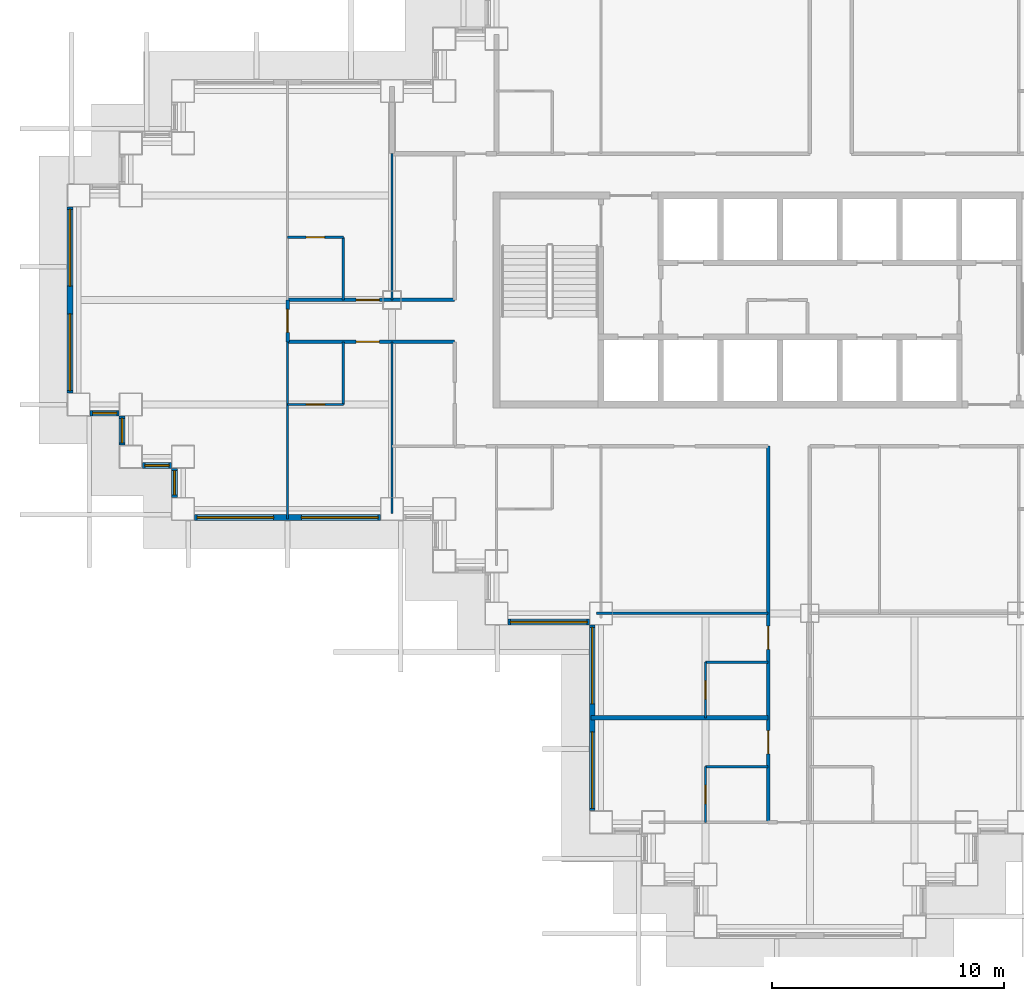
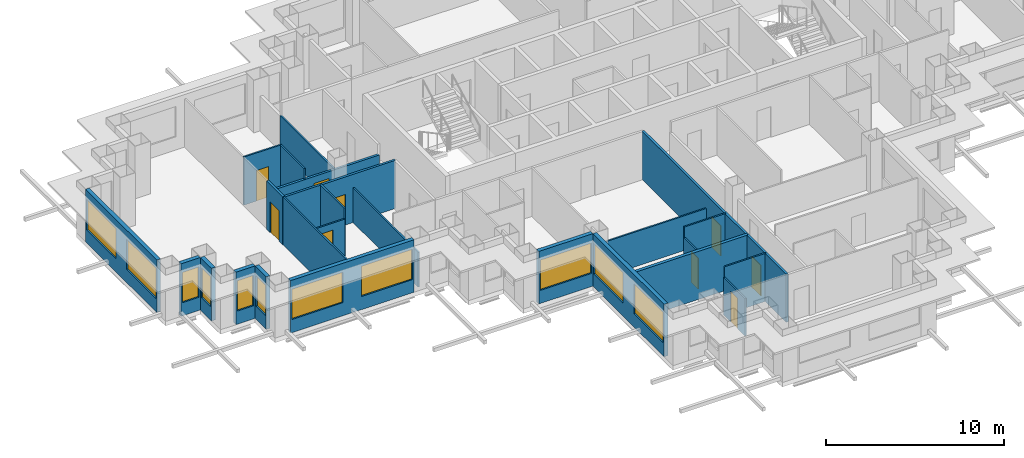
# One storey, part 3 of 15: 25 walls, 11 windows, 9 doors, 20 openings.
"""IFC4 building model written with IfcOpenShell, lengths in metres."""

from ifc_helpers import new_model, si_unit, direction, frame, frame_2d, origin, place, context, subcontext, project, spatial, rectangle, extrude, material, layer, layer_set, type_object, element, fill, save


model = new_model("IFC4")

# Units and contexts
model_context = context("Model", 3, precision=1e-05, world=origin(), true_north=direction((0.0, 1.0)))
body_context = subcontext(model_context, "Body", "Model", "MODEL_VIEW")
ifc_project = project(units=[si_unit("LENGTHUNIT", "METRE"), si_unit("AREAUNIT", "SQUARE_METRE"), si_unit("VOLUMEUNIT", "CUBIC_METRE"), si_unit("PLANEANGLEUNIT", "RADIAN"), si_unit("MASSUNIT", "GRAM", prefix="KILO")], contexts=[model_context])

# Site, building, storey
site_placement = place(None, origin())
site = spatial("IfcSite", under=ifc_project, at=site_placement, CompositionType="ELEMENT")
building_placement = place(site_placement, origin())
building = spatial("IfcBuilding", under=site, at=building_placement, Name="Caravel Reach Hotel and Residences", CompositionType="ELEMENT")
storey_placement = place(building_placement, frame((0.0, 0.0, 60.0)))
storey = spatial("IfcBuildingStorey", under=building, at=storey_placement, Name="L13", CompositionType="ELEMENT", Elevation=60.0)

# Wall
ifc_material_1 = material(Name="Gypsum board on steel stud", Category="steel")
ifc_layer_1 = layer(ifc_material_1, 0.10009765625)
ifc_layer_set_1 = layer_set([ifc_layer_1], Name="Bathroom pod wall 100 mm")
wall_type_1 = type_object("IfcWallType", Name="Bathroom pod wall 100 mm", PredefinedType="PARTITIONING", material=ifc_layer_set_1)
wall_1_placement = place(storey_placement, frame((27.0, 11.39990234375, 0.0), z_axis=(0.0, 0.0, 1.0), x_axis=(1.0, 0.0, 0.0)))
element("IfcWall", 1, at=wall_1_placement, inside=storey, type_object=wall_type_1, Name="L13 wall w074", PredefinedType="PARTITIONING", context=body_context, shape_type="SweptSolid", body=[
    extrude(rectangle(XDim=2.699951171875, YDim=0.10009765625, at=frame_2d((1.35009765625, 0.0))), origin(), (0.0, 0.0, 1.0), 3.300048828125),
])

# Wall, opening, door
wall_2_placement = place(storey_placement, frame((9.0, 22.5, 0.0), z_axis=(0.0, 0.0, 1.0), x_axis=(1.0, 0.0, 0.0)))
wall_2 = element("IfcWall", 2, at=wall_2_placement, inside=storey, type_object=wall_type_1, Name="L13 wall w077", PredefinedType="PARTITIONING", context=body_context, shape_type="SweptSolid", body=[
    extrude(rectangle(XDim=2.39990234375, YDim=0.10009765625, at=frame_2d((1.199951171875, 0.0))), origin(), (0.0, 0.0, 1.0), 2.580078125),
])
opening_1_placement = place(wall_2_placement, frame((0.800048828125, 0.0, 0.0)))
opening_1 = element("IfcOpeningElement", 3, at=opening_1_placement, cuts=wall_2, Name="Opening D13-016", PredefinedType="OPENING", context=body_context, shape_type="SweptSolid", body=[
    extrude(rectangle(XDim=0.800048828125, YDim=2.10009765625, at=frame_2d((0.39990234375, 1.050048828125))), frame((0.0, 0.06005859375, 0.0), z_axis=(0.0, -1.0, 0.0), x_axis=(1.0, 0.0, 0.0)), (0.0, 0.0, 1.0), 0.1201171875),
])
ifc_material_2 = material(Name="Timber and steel door leaf", Category="steel")
door_type_1 = type_object("IfcDoorType", Name="Bathroom door 800 x 2100", OperationType="SINGLE_SWING_LEFT", PredefinedType="DOOR", material=ifc_material_2)
door_1_placement = place(opening_1_placement, origin())
door_1 = element("IfcDoor", 4, at=door_1_placement, inside=storey, type_object=door_type_1, Name="door D13-016", OperationType="SINGLE_SWING_RIGHT", OverallHeight=2.10009765625, OverallWidth=0.800048828125, PredefinedType="DOOR", context=body_context, shape_type="SweptSolid", body=[
    extrude(rectangle(XDim=0.800048828125, YDim=2.10009765625, at=frame_2d((0.39990234375, 1.050048828125))), frame((0.0, 0.02490234375, 0.0), z_axis=(0.0, -1.0, 0.0), x_axis=(1.0, 0.0, 0.0)), (0.0, 0.0, 1.0), 0.050048828125),
])
fill(opening_1, door_1)

wall_3_placement = place(storey_placement, frame((9.0, 29.699951171875, 0.0), z_axis=(0.0, 0.0, 1.0), x_axis=(1.0, 0.0, 0.0)))
wall_3 = element("IfcWall", 5, at=wall_3_placement, inside=storey, type_object=wall_type_1, Name="L13 wall w080", PredefinedType="PARTITIONING", context=body_context, shape_type="SweptSolid", body=[
    extrude(rectangle(XDim=2.39990234375, YDim=0.10009765625, at=frame_2d((1.199951171875, 0.0))), origin(), (0.0, 0.0, 1.0), 3.300048828125),
])
opening_2_placement = place(wall_3_placement, frame((0.800048828125, 0.0, 0.0)))
opening_2 = element("IfcOpeningElement", 6, at=opening_2_placement, cuts=wall_3, Name="Opening D13-018", PredefinedType="OPENING", context=body_context, shape_type="SweptSolid", body=[
    extrude(rectangle(XDim=0.800048828125, YDim=2.10009765625, at=frame_2d((0.39990234375, 1.050048828125))), frame((0.0, 0.06005859375, 0.0), z_axis=(0.0, -1.0, 0.0), x_axis=(1.0, 0.0, 0.0)), (0.0, 0.0, 1.0), 0.1201171875),
])
door_2_placement = place(opening_2_placement, origin())
door_2 = element("IfcDoor", 7, at=door_2_placement, inside=storey, type_object=door_type_1, Name="door D13-018", OperationType="SINGLE_SWING_LEFT", OverallHeight=2.10009765625, OverallWidth=0.800048828125, PredefinedType="DOOR", context=body_context, shape_type="SweptSolid", body=[
    extrude(rectangle(XDim=0.800048828125, YDim=2.10009765625, at=frame_2d((0.39990234375, 1.050048828125))), frame((0.0, 0.02490234375, 0.0), z_axis=(0.0, -1.0, 0.0), x_axis=(1.0, 0.0, 0.0)), (0.0, 0.0, 1.0), 0.050048828125),
])
fill(opening_2, door_2)

# Walls
for number, where, z_axis, x_axis, name in (
    (8, (27.0, 6.89990234375, 0.0), (0.0, 0.0, 1.0), (1.0, 0.0, 0.0), "L13 wall w086"),
    (9, (11.39990234375, 27.0, 0.0), (0.0, 0.0, 1.0), (0.0, 1.0, 0.0), "L13 wall w088"),
    (10, (11.39990234375, 22.5, 0.0), (0.0, 0.0, 1.0), (0.0, 1.0, 0.0), "L13 wall w089"),
):
    element("IfcWall", number, at=place(storey_placement, frame(where, z_axis=z_axis, x_axis=x_axis)), inside=storey, type_object=wall_type_1, Name=name, PredefinedType="PARTITIONING", context=body_context, shape_type="SweptSolid", body=[
        extrude(rectangle(XDim=2.699951171875, YDim=0.10009765625, at=frame_2d((1.35009765625, 0.0))), origin(), (0.0, 0.0, 1.0), 3.300048828125),
    ])

# Wall, opening, door
wall_4_placement = place(storey_placement, frame((27.0, 9.0, 0.0), z_axis=(0.0, 0.0, 1.0), x_axis=(0.0, 1.0, 0.0)))
wall_4 = element("IfcWall", 11, at=wall_4_placement, inside=storey, type_object=wall_type_1, Name="L13 wall w092", PredefinedType="PARTITIONING", context=body_context, shape_type="SweptSolid", body=[
    extrude(rectangle(XDim=2.39990234375, YDim=0.10009765625, at=frame_2d((1.199951171875, 0.0))), origin(), (0.0, 0.0, 1.0), 2.580078125),
])
opening_3_placement = place(wall_4_placement, frame((0.800048828125, 0.0, 0.0)))
opening_3 = element("IfcOpeningElement", 12, at=opening_3_placement, cuts=wall_4, Name="Opening D13-031", PredefinedType="OPENING", context=body_context, shape_type="SweptSolid", body=[
    extrude(rectangle(XDim=0.800048828125, YDim=2.10009765625, at=frame_2d((0.39990234375, 1.050048828125))), frame((0.0, 0.06005859375, 0.0), z_axis=(0.0, -1.0, 0.0), x_axis=(1.0, 0.0, 0.0)), (0.0, 0.0, 1.0), 0.1201171875),
])
door_3_placement = place(opening_3_placement, origin())
door_3 = element("IfcDoor", 13, at=door_3_placement, inside=storey, type_object=door_type_1, Name="door D13-031", OperationType="SINGLE_SWING_LEFT", OverallHeight=2.10009765625, OverallWidth=0.800048828125, PredefinedType="DOOR", context=body_context, shape_type="SweptSolid", body=[
    extrude(rectangle(XDim=0.800048828125, YDim=2.10009765625, at=frame_2d((0.39990234375, 1.050048828125))), frame((0.0, 0.02490234375, 0.0), z_axis=(0.0, -1.0, 0.0), x_axis=(1.0, 0.0, 0.0)), (0.0, 0.0, 1.0), 0.050048828125),
])
fill(opening_3, door_3)

wall_5_placement = place(storey_placement, frame((27.0, 4.5, 0.0), z_axis=(0.0, 0.0, 1.0), x_axis=(0.0, 1.0, 0.0)))
wall_5 = element("IfcWall", 14, at=wall_5_placement, inside=storey, type_object=wall_type_1, Name="L13 wall w093", PredefinedType="PARTITIONING", context=body_context, shape_type="SweptSolid", body=[
    extrude(rectangle(XDim=2.39990234375, YDim=0.10009765625, at=frame_2d((1.199951171875, 0.0))), origin(), (0.0, 0.0, 1.0), 2.580078125),
])
opening_4_placement = place(wall_5_placement, frame((0.800048828125, 0.0, 0.0)))
opening_4 = element("IfcOpeningElement", 15, at=opening_4_placement, cuts=wall_5, Name="Opening D13-033", PredefinedType="OPENING", context=body_context, shape_type="SweptSolid", body=[
    extrude(rectangle(XDim=0.800048828125, YDim=2.10009765625, at=frame_2d((0.39990234375, 1.050048828125))), frame((0.0, 0.06005859375, 0.0), z_axis=(0.0, -1.0, 0.0), x_axis=(1.0, 0.0, 0.0)), (0.0, 0.0, 1.0), 0.1201171875),
])
door_4_placement = place(opening_4_placement, origin())
door_4 = element("IfcDoor", 16, at=door_4_placement, inside=storey, type_object=door_type_1, Name="door D13-033", OperationType="SINGLE_SWING_LEFT", OverallHeight=2.10009765625, OverallWidth=0.800048828125, PredefinedType="DOOR", context=body_context, shape_type="SweptSolid", body=[
    extrude(rectangle(XDim=0.800048828125, YDim=2.10009765625, at=frame_2d((0.39990234375, 1.050048828125))), frame((0.0, 0.02490234375, 0.0), z_axis=(0.0, -1.0, 0.0), x_axis=(1.0, 0.0, 0.0)), (0.0, 0.0, 1.0), 0.050048828125),
])
fill(opening_4, door_4)

ifc_material_3 = material(Name="Gypsum board on steel stud, fire-rated", Category="steel")
ifc_layer_2 = layer(ifc_material_3, 0.14990234375)
ifc_layer_set_2 = layer_set([ifc_layer_2], Name="Corridor wall 150 mm EI 60")
wall_type_2 = type_object("IfcWallType", Name="Corridor wall 150 mm EI 60", PredefinedType="PARTITIONING", material=ifc_layer_set_2)
wall_6_placement = place(storey_placement, frame((9.0, 25.199951171875, 0.0), z_axis=(0.0, 0.0, 1.0), x_axis=(1.0, 0.0, 0.0)))
wall_6 = element("IfcWall", 17, at=wall_6_placement, inside=storey, type_object=wall_type_2, Name="L13 wall w008", PredefinedType="PARTITIONING", context=body_context, shape_type="SweptSolid", body=[
    extrude(rectangle(XDim=7.199951171875, YDim=0.14990234375, at=frame_2d((3.60009765625, 0.0))), origin(), (0.0, 0.0, 1.0), 3.300048828125),
])
opening_5_placement = place(wall_6_placement, frame((2.949951171875, 0.0, 0.0)))
opening_5 = element("IfcOpeningElement", 18, at=opening_5_placement, cuts=wall_6, Name="Opening D13-015", PredefinedType="OPENING", context=body_context, shape_type="SweptSolid", body=[
    extrude(rectangle(XDim=1.0, YDim=2.10009765625, at=frame_2d((0.5, 1.050048828125))), frame((0.0, 0.0849609375, 0.0), z_axis=(0.0, -1.0, 0.0), x_axis=(1.0, 0.0, 0.0)), (0.0, 0.0, 1.0), 0.169921875),
])
ifc_material_4 = material(Name="Steel fire door leaf", Category="steel")
door_type_2 = type_object("IfcDoorType", Name="Guest room door 1000 x 2100 EI 30", OperationType="SINGLE_SWING_LEFT", PredefinedType="DOOR", material=ifc_material_4)
door_5_placement = place(opening_5_placement, origin())
door_5 = element("IfcDoor", 19, at=door_5_placement, inside=storey, type_object=door_type_2, Name="door D13-015", OperationType="SINGLE_SWING_RIGHT", OverallHeight=2.10009765625, OverallWidth=1.0, PredefinedType="DOOR", context=body_context, shape_type="SweptSolid", body=[
    extrude(rectangle(XDim=1.0, YDim=2.10009765625, at=frame_2d((0.5, 1.050048828125))), frame((0.0, 0.02490234375, 0.0), z_axis=(0.0, -1.0, 0.0), x_axis=(1.0, 0.0, 0.0)), (0.0, 0.0, 1.0), 0.050048828125),
])
fill(opening_5, door_5)

wall_7_placement = place(storey_placement, frame((9.0, 27.0, 0.0), z_axis=(0.0, 0.0, 1.0), x_axis=(1.0, 0.0, 0.0)))
wall_7 = element("IfcWall", 20, at=wall_7_placement, inside=storey, type_object=wall_type_2, Name="L13 wall w012", PredefinedType="PARTITIONING", context=body_context, shape_type="SweptSolid", body=[
    extrude(rectangle(XDim=7.199951171875, YDim=0.14990234375, at=frame_2d((3.60009765625, 0.0))), origin(), (0.0, 0.0, 1.0), 2.580078125),
])
opening_6_placement = place(wall_7_placement, frame((2.949951171875, 0.0, 0.0)))
opening_6 = element("IfcOpeningElement", 21, at=opening_6_placement, cuts=wall_7, Name="Opening D13-017", PredefinedType="OPENING", context=body_context, shape_type="SweptSolid", body=[
    extrude(rectangle(XDim=1.0, YDim=2.10009765625, at=frame_2d((0.5, 1.050048828125))), frame((0.0, 0.0849609375, 0.0), z_axis=(0.0, -1.0, 0.0), x_axis=(1.0, 0.0, 0.0)), (0.0, 0.0, 1.0), 0.169921875),
])
door_6_placement = place(opening_6_placement, origin())
door_6 = element("IfcDoor", 22, at=door_6_placement, inside=storey, type_object=door_type_2, Name="door D13-017", OperationType="SINGLE_SWING_RIGHT", OverallHeight=2.10009765625, OverallWidth=1.0, PredefinedType="DOOR", context=body_context, shape_type="SweptSolid", body=[
    extrude(rectangle(XDim=1.0, YDim=2.10009765625, at=frame_2d((0.5, 1.050048828125))), frame((0.0, 0.02490234375, 0.0), z_axis=(0.0, -1.0, 0.0), x_axis=(1.0, 0.0, 0.0)), (0.0, 0.0, 1.0), 0.050048828125),
])
fill(opening_6, door_6)

# Wall, openings, doors
wall_8_placement = place(storey_placement, frame((29.699951171875, 4.5, 0.0), z_axis=(0.0, 0.0, 1.0), x_axis=(0.0, 1.0, 0.0)))
wall_8 = element("IfcWall", 23, at=wall_8_placement, inside=storey, type_object=wall_type_2, Name="L13 wall w027", PredefinedType="PARTITIONING", context=body_context, shape_type="SweptSolid", body=[
    extrude(rectangle(XDim=16.199951171875, YDim=0.14990234375, at=frame_2d((8.10009765625, 0.0))), origin(), (0.0, 0.0, 1.0), 3.300048828125),
])
opening_7_placement = place(wall_8_placement, frame((7.449951171875, 0.0, 0.0)))
opening_7 = element("IfcOpeningElement", 24, at=opening_7_placement, cuts=wall_8, Name="Opening D13-030", PredefinedType="OPENING", context=body_context, shape_type="SweptSolid", body=[
    extrude(rectangle(XDim=1.0, YDim=2.10009765625, at=frame_2d((0.5, 1.050048828125))), frame((0.0, 0.0849609375, 0.0), z_axis=(0.0, -1.0, 0.0), x_axis=(1.0, 0.0, 0.0)), (0.0, 0.0, 1.0), 0.169921875),
])
opening_8_placement = place(wall_8_placement, frame((2.949951171875, 0.0, 0.0)))
opening_8 = element("IfcOpeningElement", 25, at=opening_8_placement, cuts=wall_8, Name="Opening D13-032", PredefinedType="OPENING", context=body_context, shape_type="SweptSolid", body=[
    extrude(rectangle(XDim=1.0, YDim=2.10009765625, at=frame_2d((0.5, 1.050048828125))), frame((0.0, 0.0849609375, 0.0), z_axis=(0.0, -1.0, 0.0), x_axis=(1.0, 0.0, 0.0)), (0.0, 0.0, 1.0), 0.169921875),
])
door_7_placement = place(opening_7_placement, origin())
door_7 = element("IfcDoor", 26, at=door_7_placement, inside=storey, type_object=door_type_2, Name="door D13-030", OperationType="SINGLE_SWING_RIGHT", OverallHeight=2.10009765625, OverallWidth=1.0, PredefinedType="DOOR", context=body_context, shape_type="SweptSolid", body=[
    extrude(rectangle(XDim=1.0, YDim=2.10009765625, at=frame_2d((0.5, 1.050048828125))), frame((0.0, 0.02490234375, 0.0), z_axis=(0.0, -1.0, 0.0), x_axis=(1.0, 0.0, 0.0)), (0.0, 0.0, 1.0), 0.050048828125),
])
fill(opening_7, door_7)
door_8_placement = place(opening_8_placement, origin())
door_8 = element("IfcDoor", 27, at=door_8_placement, inside=storey, type_object=door_type_2, Name="door D13-032", OperationType="SINGLE_SWING_RIGHT", OverallHeight=2.10009765625, OverallWidth=1.0, PredefinedType="DOOR", context=body_context, shape_type="SweptSolid", body=[
    extrude(rectangle(XDim=1.0, YDim=2.10009765625, at=frame_2d((0.5, 1.050048828125))), frame((0.0, 0.02490234375, 0.0), z_axis=(0.0, -1.0, 0.0), x_axis=(1.0, 0.0, 0.0)), (0.0, 0.0, 1.0), 0.050048828125),
])
fill(opening_8, door_8)

# Wall, opening, door
wall_9_placement = place(storey_placement, frame((9.0, 25.199951171875, 0.0), z_axis=(0.0, 0.0, 1.0), x_axis=(0.0, 1.0, 0.0)))
wall_9 = element("IfcWall", 28, at=wall_9_placement, inside=storey, type_object=wall_type_2, Name="L13 wall w039", PredefinedType="PARTITIONING", context=body_context, shape_type="SweptSolid", body=[
    extrude(rectangle(XDim=1.800048828125, YDim=0.14990234375, at=frame_2d((0.89990234375, 0.0))), origin(), (0.0, 0.0, 1.0), 3.300048828125),
])
opening_9_placement = place(wall_9_placement, frame((0.39990234375, 0.0, 0.0)))
opening_9 = element("IfcOpeningElement", 29, at=opening_9_placement, cuts=wall_9, Name="Opening D13-037", PredefinedType="OPENING", context=body_context, shape_type="SweptSolid", body=[
    extrude(rectangle(XDim=1.0, YDim=2.10009765625, at=frame_2d((0.5, 1.050048828125))), frame((0.0, 0.0849609375, 0.0), z_axis=(0.0, -1.0, 0.0), x_axis=(1.0, 0.0, 0.0)), (0.0, 0.0, 1.0), 0.169921875),
])
door_9_placement = place(opening_9_placement, origin())
door_9 = element("IfcDoor", 30, at=door_9_placement, inside=storey, type_object=door_type_2, Name="door D13-037", OperationType="SINGLE_SWING_RIGHT", OverallHeight=2.10009765625, OverallWidth=1.0, PredefinedType="DOOR", context=body_context, shape_type="SweptSolid", body=[
    extrude(rectangle(XDim=1.0, YDim=2.10009765625, at=frame_2d((0.5, 1.050048828125))), frame((0.0, 0.02490234375, 0.0), z_axis=(0.0, -1.0, 0.0), x_axis=(1.0, 0.0, 0.0)), (0.0, 0.0, 1.0), 0.050048828125),
])
fill(opening_9, door_9)

# Wall, openings, windows
ifc_material_5 = material(Name="Insulated rainscreen wall, aluminium cladding", Category="aluminium")
ifc_layer_3 = layer(ifc_material_5, 0.25)
ifc_layer_set_3 = layer_set([ifc_layer_3], Name="EW1 Tower rainscreen wall")
wall_type_3 = type_object("IfcWallType", Name="EW1 Tower rainscreen wall", PredefinedType="SOLIDWALL", material=ifc_layer_set_3)
wall_10_placement = place(storey_placement, frame((-0.375, 31.0, 0.0), z_axis=(0.0, 0.0, 1.0), x_axis=(0.0, -1.0, 0.0)))
wall_10 = element("IfcWall", 31, at=wall_10_placement, inside=storey, type_object=wall_type_3, Name="External wall L13 W50.1", PredefinedType="SOLIDWALL", context=body_context, shape_type="SweptSolid", body=[
    extrude(rectangle(XDim=8.0, YDim=0.25, at=frame_2d((4.0, 0.0))), origin(), (0.0, 0.0, 1.0), 3.60009765625),
])
opening_10_placement = place(wall_10_placement, frame((0.10009765625, 0.0, 0.89990234375)))
opening_10 = element("IfcOpeningElement", 32, at=opening_10_placement, cuts=wall_10, Name="Opening WN4", PredefinedType="OPENING", context=body_context, shape_type="SweptSolid", body=[
    extrude(rectangle(XDim=3.300048828125, YDim=2.080078125, at=frame_2d((1.64990234375, 1.0400390625))), frame((0.0, 0.135009765625, 0.0), z_axis=(0.0, -1.0, 0.0), x_axis=(1.0, 0.0, 0.0)), (0.0, 0.0, 1.0), 0.27001953125),
])
opening_11_placement = place(wall_10_placement, frame((4.60009765625, 0.0, 0.89990234375)))
opening_11 = element("IfcOpeningElement", 33, at=opening_11_placement, cuts=wall_10, Name="Opening WN4", PredefinedType="OPENING", context=body_context, shape_type="SweptSolid", body=[
    extrude(rectangle(XDim=3.300048828125, YDim=2.080078125, at=frame_2d((1.64990234375, 1.0400390625))), frame((0.0, 0.135009765625, 0.0), z_axis=(0.0, -1.0, 0.0), x_axis=(1.0, 0.0, 0.0)), (0.0, 0.0, 1.0), 0.27001953125),
])
ifc_material_6 = material(Name="Dark low-e glazing in black aluminium frame", Category="aluminium")
window_type_1 = type_object("IfcWindowType", Name="Hotel guest room window 3300 x 2080", PartitioningType="SINGLE_PANEL", PredefinedType="WINDOW", material=ifc_material_6)
window_1_placement = place(opening_10_placement, origin())
window_1 = element("IfcWindow", 34, at=window_1_placement, inside=storey, type_object=window_type_1, Name="Window L13 W50.1.1", OverallHeight=2.080078125, OverallWidth=3.300048828125, PartitioningType="SINGLE_PANEL", PredefinedType="WINDOW", context=body_context, shape_type="SweptSolid", body=[
    extrude(rectangle(XDim=3.300048828125, YDim=2.080078125, at=frame_2d((1.64990234375, 1.0400390625))), frame((0.0, 0.030029296875, 0.0), z_axis=(0.0, -1.0, 0.0), x_axis=(1.0, 0.0, 0.0)), (0.0, 0.0, 1.0), 0.06005859375),
])
fill(opening_10, window_1)
window_2_placement = place(opening_11_placement, origin())
window_2 = element("IfcWindow", 35, at=window_2_placement, inside=storey, type_object=window_type_1, Name="Window L13 W50.1.2", OverallHeight=2.080078125, OverallWidth=3.300048828125, PartitioningType="SINGLE_PANEL", PredefinedType="WINDOW", context=body_context, shape_type="SweptSolid", body=[
    extrude(rectangle(XDim=3.300048828125, YDim=2.080078125, at=frame_2d((1.64990234375, 1.0400390625))), frame((0.0, 0.030029296875, 0.0), z_axis=(0.0, -1.0, 0.0), x_axis=(1.0, 0.0, 0.0)), (0.0, 0.0, 1.0), 0.06005859375),
])
fill(opening_11, window_2)

# Wall, opening, window
wall_11_placement = place(storey_placement, frame((0.5, 22.125, 0.0), z_axis=(0.0, 0.0, 1.0), x_axis=(1.0, 0.0, 0.0)))
wall_11 = element("IfcWall", 36, at=wall_11_placement, inside=storey, type_object=wall_type_3, Name="External wall L13 S51.1", PredefinedType="SOLIDWALL", context=body_context, shape_type="SweptSolid", body=[
    extrude(rectangle(XDim=1.25, YDim=0.25, at=frame_2d((0.625, 0.0))), origin(), (0.0, 0.0, 1.0), 3.60009765625),
])
opening_12_placement = place(wall_11_placement, frame((0.10009765625, 0.0, 0.89990234375)))
opening_12 = element("IfcOpeningElement", 37, at=opening_12_placement, cuts=wall_11, Name="Opening WN3", PredefinedType="OPENING", context=body_context, shape_type="SweptSolid", body=[
    extrude(rectangle(XDim=1.050048828125, YDim=2.080078125, at=frame_2d((0.52490234375, 1.0400390625))), frame((0.0, 0.135009765625, 0.0), z_axis=(0.0, -1.0, 0.0), x_axis=(1.0, 0.0, 0.0)), (0.0, 0.0, 1.0), 0.27001953125),
])
ifc_material_7 = material(Name="Dark low-e glazing in black aluminium frame", Category="aluminium")
window_type_2 = type_object("IfcWindowType", Name="Hotel suite corner window 1050 x 2080", PartitioningType="SINGLE_PANEL", PredefinedType="WINDOW", material=ifc_material_7)
window_3_placement = place(opening_12_placement, origin())
window_3 = element("IfcWindow", 38, at=window_3_placement, inside=storey, type_object=window_type_2, Name="Window L13 S51.1.1", OverallHeight=2.080078125, OverallWidth=1.050048828125, PartitioningType="SINGLE_PANEL", PredefinedType="WINDOW", context=body_context, shape_type="SweptSolid", body=[
    extrude(rectangle(XDim=1.050048828125, YDim=2.080078125, at=frame_2d((0.52490234375, 1.0400390625))), frame((0.0, 0.030029296875, 0.0), z_axis=(0.0, -1.0, 0.0), x_axis=(1.0, 0.0, 0.0)), (0.0, 0.0, 1.0), 0.06005859375),
])
fill(opening_12, window_3)

wall_12_placement = place(storey_placement, frame((1.875, 22.0, 0.0), z_axis=(0.0, 0.0, 1.0), x_axis=(0.0, -1.0, 0.0)))
wall_12 = element("IfcWall", 39, at=wall_12_placement, inside=storey, type_object=wall_type_3, Name="External wall L13 W52.1", PredefinedType="SOLIDWALL", context=body_context, shape_type="SweptSolid", body=[
    extrude(rectangle(XDim=1.25, YDim=0.25, at=frame_2d((0.625, 0.0))), origin(), (0.0, 0.0, 1.0), 3.60009765625),
])
opening_13_placement = place(wall_12_placement, frame((0.10009765625, 0.0, 0.89990234375)))
opening_13 = element("IfcOpeningElement", 40, at=opening_13_placement, cuts=wall_12, Name="Opening WN3", PredefinedType="OPENING", context=body_context, shape_type="SweptSolid", body=[
    extrude(rectangle(XDim=1.050048828125, YDim=2.080078125, at=frame_2d((0.52490234375, 1.0400390625))), frame((0.0, 0.135009765625, 0.0), z_axis=(0.0, -1.0, 0.0), x_axis=(1.0, 0.0, 0.0)), (0.0, 0.0, 1.0), 0.27001953125),
])
window_4_placement = place(opening_13_placement, origin())
window_4 = element("IfcWindow", 41, at=window_4_placement, inside=storey, type_object=window_type_2, Name="Window L13 W52.1.1", OverallHeight=2.080078125, OverallWidth=1.050048828125, PartitioningType="SINGLE_PANEL", PredefinedType="WINDOW", context=body_context, shape_type="SweptSolid", body=[
    extrude(rectangle(XDim=1.050048828125, YDim=2.080078125, at=frame_2d((0.52490234375, 1.0400390625))), frame((0.0, 0.030029296875, 0.0), z_axis=(0.0, -1.0, 0.0), x_axis=(1.0, 0.0, 0.0)), (0.0, 0.0, 1.0), 0.06005859375),
])
fill(opening_13, window_4)

wall_13_placement = place(storey_placement, frame((2.75, 19.875, 0.0), z_axis=(0.0, 0.0, 1.0), x_axis=(1.0, 0.0, 0.0)))
wall_13 = element("IfcWall", 42, at=wall_13_placement, inside=storey, type_object=wall_type_3, Name="External wall L13 S53.1", PredefinedType="SOLIDWALL", context=body_context, shape_type="SweptSolid", body=[
    extrude(rectangle(XDim=1.25, YDim=0.25, at=frame_2d((0.625, 0.0))), origin(), (0.0, 0.0, 1.0), 3.60009765625),
])
opening_14_placement = place(wall_13_placement, frame((0.10009765625, 0.0, 0.89990234375)))
opening_14 = element("IfcOpeningElement", 43, at=opening_14_placement, cuts=wall_13, Name="Opening WN3", PredefinedType="OPENING", context=body_context, shape_type="SweptSolid", body=[
    extrude(rectangle(XDim=1.050048828125, YDim=2.080078125, at=frame_2d((0.52490234375, 1.0400390625))), frame((0.0, 0.135009765625, 0.0), z_axis=(0.0, -1.0, 0.0), x_axis=(1.0, 0.0, 0.0)), (0.0, 0.0, 1.0), 0.27001953125),
])
window_5_placement = place(opening_14_placement, origin())
window_5 = element("IfcWindow", 44, at=window_5_placement, inside=storey, type_object=window_type_2, Name="Window L13 S53.1.1", OverallHeight=2.080078125, OverallWidth=1.050048828125, PartitioningType="SINGLE_PANEL", PredefinedType="WINDOW", context=body_context, shape_type="SweptSolid", body=[
    extrude(rectangle(XDim=1.050048828125, YDim=2.080078125, at=frame_2d((0.52490234375, 1.0400390625))), frame((0.0, 0.030029296875, 0.0), z_axis=(0.0, -1.0, 0.0), x_axis=(1.0, 0.0, 0.0)), (0.0, 0.0, 1.0), 0.06005859375),
])
fill(opening_14, window_5)

wall_14_placement = place(storey_placement, frame((4.125, 19.75, 0.0), z_axis=(0.0, 0.0, 1.0), x_axis=(0.0, -1.0, 0.0)))
wall_14 = element("IfcWall", 45, at=wall_14_placement, inside=storey, type_object=wall_type_3, Name="External wall L13 W54.1", PredefinedType="SOLIDWALL", context=body_context, shape_type="SweptSolid", body=[
    extrude(rectangle(XDim=1.25, YDim=0.25, at=frame_2d((0.625, 0.0))), origin(), (0.0, 0.0, 1.0), 3.60009765625),
])
opening_15_placement = place(wall_14_placement, frame((0.10009765625, 0.0, 0.89990234375)))
opening_15 = element("IfcOpeningElement", 46, at=opening_15_placement, cuts=wall_14, Name="Opening WN3", PredefinedType="OPENING", context=body_context, shape_type="SweptSolid", body=[
    extrude(rectangle(XDim=1.050048828125, YDim=2.080078125, at=frame_2d((0.52490234375, 1.0400390625))), frame((0.0, 0.135009765625, 0.0), z_axis=(0.0, -1.0, 0.0), x_axis=(1.0, 0.0, 0.0)), (0.0, 0.0, 1.0), 0.27001953125),
])
window_6_placement = place(opening_15_placement, origin())
window_6 = element("IfcWindow", 47, at=window_6_placement, inside=storey, type_object=window_type_2, Name="Window L13 W54.1.1", OverallHeight=2.080078125, OverallWidth=1.050048828125, PartitioningType="SINGLE_PANEL", PredefinedType="WINDOW", context=body_context, shape_type="SweptSolid", body=[
    extrude(rectangle(XDim=1.050048828125, YDim=2.080078125, at=frame_2d((0.52490234375, 1.0400390625))), frame((0.0, 0.030029296875, 0.0), z_axis=(0.0, -1.0, 0.0), x_axis=(1.0, 0.0, 0.0)), (0.0, 0.0, 1.0), 0.06005859375),
])
fill(opening_15, window_6)

# Wall, openings, windows
wall_15_placement = place(storey_placement, frame((5.0, 17.625, 0.0), z_axis=(0.0, 0.0, 1.0), x_axis=(1.0, 0.0, 0.0)))
wall_15 = element("IfcWall", 48, at=wall_15_placement, inside=storey, type_object=wall_type_3, Name="External wall L13 S55.1", PredefinedType="SOLIDWALL", context=body_context, shape_type="SweptSolid", body=[
    extrude(rectangle(XDim=8.0, YDim=0.25, at=frame_2d((4.0, 0.0))), origin(), (0.0, 0.0, 1.0), 3.60009765625),
])
opening_16_placement = place(wall_15_placement, frame((0.10009765625, 0.0, 0.89990234375)))
opening_16 = element("IfcOpeningElement", 49, at=opening_16_placement, cuts=wall_15, Name="Opening WN4", PredefinedType="OPENING", context=body_context, shape_type="SweptSolid", body=[
    extrude(rectangle(XDim=3.300048828125, YDim=2.080078125, at=frame_2d((1.64990234375, 1.0400390625))), frame((0.0, 0.135009765625, 0.0), z_axis=(0.0, -1.0, 0.0), x_axis=(1.0, 0.0, 0.0)), (0.0, 0.0, 1.0), 0.27001953125),
])
opening_17_placement = place(wall_15_placement, frame((4.60009765625, 0.0, 0.89990234375)))
opening_17 = element("IfcOpeningElement", 50, at=opening_17_placement, cuts=wall_15, Name="Opening WN4", PredefinedType="OPENING", context=body_context, shape_type="SweptSolid", body=[
    extrude(rectangle(XDim=3.300048828125, YDim=2.080078125, at=frame_2d((1.64990234375, 1.0400390625))), frame((0.0, 0.135009765625, 0.0), z_axis=(0.0, -1.0, 0.0), x_axis=(1.0, 0.0, 0.0)), (0.0, 0.0, 1.0), 0.27001953125),
])
window_7_placement = place(opening_16_placement, origin())
window_7 = element("IfcWindow", 51, at=window_7_placement, inside=storey, type_object=window_type_1, Name="Window L13 S55.1.1", OverallHeight=2.080078125, OverallWidth=3.300048828125, PartitioningType="SINGLE_PANEL", PredefinedType="WINDOW", context=body_context, shape_type="SweptSolid", body=[
    extrude(rectangle(XDim=3.300048828125, YDim=2.080078125, at=frame_2d((1.64990234375, 1.0400390625))), frame((0.0, 0.030029296875, 0.0), z_axis=(0.0, -1.0, 0.0), x_axis=(1.0, 0.0, 0.0)), (0.0, 0.0, 1.0), 0.06005859375),
])
fill(opening_16, window_7)
window_8_placement = place(opening_17_placement, origin())
window_8 = element("IfcWindow", 52, at=window_8_placement, inside=storey, type_object=window_type_1, Name="Window L13 S55.1.2", OverallHeight=2.080078125, OverallWidth=3.300048828125, PartitioningType="SINGLE_PANEL", PredefinedType="WINDOW", context=body_context, shape_type="SweptSolid", body=[
    extrude(rectangle(XDim=3.300048828125, YDim=2.080078125, at=frame_2d((1.64990234375, 1.0400390625))), frame((0.0, 0.030029296875, 0.0), z_axis=(0.0, -1.0, 0.0), x_axis=(1.0, 0.0, 0.0)), (0.0, 0.0, 1.0), 0.06005859375),
])
fill(opening_17, window_8)

# Wall, opening, window
wall_16_placement = place(storey_placement, frame((18.5, 13.125, 0.0), z_axis=(0.0, 0.0, 1.0), x_axis=(1.0, 0.0, 0.0)))
wall_16 = element("IfcWall", 53, at=wall_16_placement, inside=storey, type_object=wall_type_3, Name="External wall L13 S59.1", PredefinedType="SOLIDWALL", context=body_context, shape_type="SweptSolid", body=[
    extrude(rectangle(XDim=3.5, YDim=0.25, at=frame_2d((1.75, 0.0))), origin(), (0.0, 0.0, 1.0), 3.60009765625),
])
opening_18_placement = place(wall_16_placement, frame((0.10009765625, 0.0, 0.89990234375)))
opening_18 = element("IfcOpeningElement", 54, at=opening_18_placement, cuts=wall_16, Name="Opening WN4", PredefinedType="OPENING", context=body_context, shape_type="SweptSolid", body=[
    extrude(rectangle(XDim=3.300048828125, YDim=2.080078125, at=frame_2d((1.64990234375, 1.0400390625))), frame((0.0, 0.135009765625, 0.0), z_axis=(0.0, -1.0, 0.0), x_axis=(1.0, 0.0, 0.0)), (0.0, 0.0, 1.0), 0.27001953125),
])
window_9_placement = place(opening_18_placement, origin())
window_9 = element("IfcWindow", 55, at=window_9_placement, inside=storey, type_object=window_type_1, Name="Window L13 S59.1.1", OverallHeight=2.080078125, OverallWidth=3.300048828125, PartitioningType="SINGLE_PANEL", PredefinedType="WINDOW", context=body_context, shape_type="SweptSolid", body=[
    extrude(rectangle(XDim=3.300048828125, YDim=2.080078125, at=frame_2d((1.64990234375, 1.0400390625))), frame((0.0, 0.030029296875, 0.0), z_axis=(0.0, -1.0, 0.0), x_axis=(1.0, 0.0, 0.0)), (0.0, 0.0, 1.0), 0.06005859375),
])
fill(opening_18, window_9)

# Wall, openings, windows
wall_17_placement = place(storey_placement, frame((22.125, 13.0, 0.0), z_axis=(0.0, 0.0, 1.0), x_axis=(0.0, -1.0, 0.0)))
wall_17 = element("IfcWall", 56, at=wall_17_placement, inside=storey, type_object=wall_type_3, Name="External wall L13 W60.1", PredefinedType="SOLIDWALL", context=body_context, shape_type="SweptSolid", body=[
    extrude(rectangle(XDim=8.0, YDim=0.25, at=frame_2d((4.0, 0.0))), origin(), (0.0, 0.0, 1.0), 3.60009765625),
])
opening_19_placement = place(wall_17_placement, frame((0.10009765625, 0.0, 0.89990234375)))
opening_19 = element("IfcOpeningElement", 57, at=opening_19_placement, cuts=wall_17, Name="Opening WN4", PredefinedType="OPENING", context=body_context, shape_type="SweptSolid", body=[
    extrude(rectangle(XDim=3.300048828125, YDim=2.080078125, at=frame_2d((1.64990234375, 1.0400390625))), frame((0.0, 0.135009765625, 0.0), z_axis=(0.0, -1.0, 0.0), x_axis=(1.0, 0.0, 0.0)), (0.0, 0.0, 1.0), 0.27001953125),
])
opening_20_placement = place(wall_17_placement, frame((4.60009765625, 0.0, 0.89990234375)))
opening_20 = element("IfcOpeningElement", 58, at=opening_20_placement, cuts=wall_17, Name="Opening WN4", PredefinedType="OPENING", context=body_context, shape_type="SweptSolid", body=[
    extrude(rectangle(XDim=3.300048828125, YDim=2.080078125, at=frame_2d((1.64990234375, 1.0400390625))), frame((0.0, 0.135009765625, 0.0), z_axis=(0.0, -1.0, 0.0), x_axis=(1.0, 0.0, 0.0)), (0.0, 0.0, 1.0), 0.27001953125),
])
window_10_placement = place(opening_19_placement, origin())
window_10 = element("IfcWindow", 59, at=window_10_placement, inside=storey, type_object=window_type_1, Name="Window L13 W60.1.1", OverallHeight=2.080078125, OverallWidth=3.300048828125, PartitioningType="SINGLE_PANEL", PredefinedType="WINDOW", context=body_context, shape_type="SweptSolid", body=[
    extrude(rectangle(XDim=3.300048828125, YDim=2.080078125, at=frame_2d((1.64990234375, 1.0400390625))), frame((0.0, 0.030029296875, 0.0), z_axis=(0.0, -1.0, 0.0), x_axis=(1.0, 0.0, 0.0)), (0.0, 0.0, 1.0), 0.06005859375),
])
fill(opening_19, window_10)
window_11_placement = place(opening_20_placement, origin())
window_11 = element("IfcWindow", 60, at=window_11_placement, inside=storey, type_object=window_type_1, Name="Window L13 W60.1.2", OverallHeight=2.080078125, OverallWidth=3.300048828125, PartitioningType="SINGLE_PANEL", PredefinedType="WINDOW", context=body_context, shape_type="SweptSolid", body=[
    extrude(rectangle(XDim=3.300048828125, YDim=2.080078125, at=frame_2d((1.64990234375, 1.0400390625))), frame((0.0, 0.030029296875, 0.0), z_axis=(0.0, -1.0, 0.0), x_axis=(1.0, 0.0, 0.0)), (0.0, 0.0, 1.0), 0.06005859375),
])
fill(opening_20, window_11)

# Walls
ifc_material_8 = material(Name="Gypsum board on steel stud", Category="steel")
ifc_layer_4 = layer(ifc_material_8, 0.10009765625)
ifc_layer_set_4 = layer_set([ifc_layer_4], Name="Partition 100 mm")
wall_type_4 = type_object("IfcWallType", Name="Partition 100 mm", PredefinedType="PARTITIONING", material=ifc_layer_set_4)
wall_18_placement = place(storey_placement, frame((22.31005859375, 13.5, 0.0), z_axis=(0.0, 0.0, 1.0), x_axis=(1.0, 0.0, 0.0)))
element("IfcWall", 61, at=wall_18_placement, inside=storey, type_object=wall_type_4, Name="L13 wall w040", PredefinedType="PARTITIONING", context=body_context, shape_type="SweptSolid", body=[
    extrude(rectangle(XDim=7.389892578125, YDim=0.10009765625, at=frame_2d((3.69482421875, 0.0))), origin(), (0.0, 0.0, 1.0), 2.3798828125),
])
wall_19_placement = place(storey_placement, frame((13.5, 27.0, 0.0), z_axis=(0.0, 0.0, 1.0), x_axis=(0.0, 1.0, 0.0)))
element("IfcWall", 62, at=wall_19_placement, inside=storey, type_object=wall_type_4, Name="L13 wall w053", PredefinedType="PARTITIONING", context=body_context, shape_type="SweptSolid", body=[
    extrude(rectangle(XDim=6.300048828125, YDim=0.10009765625, at=frame_2d((3.14990234375, 0.0))), origin(), (0.0, 0.0, 1.0), 2.3798828125),
])
wall_20_placement = place(storey_placement, frame((13.5, 17.81005859375, 0.0), z_axis=(0.0, 0.0, 1.0), x_axis=(0.0, 1.0, 0.0)))
element("IfcWall", 63, at=wall_20_placement, inside=storey, type_object=wall_type_4, Name="L13 wall w055", PredefinedType="PARTITIONING", context=body_context, shape_type="SweptSolid", body=[
    extrude(rectangle(XDim=7.389892578125, YDim=0.10009765625, at=frame_2d((3.69482421875, 0.0))), origin(), (0.0, 0.0, 1.0), 2.3798828125),
])
wall_21_placement = place(storey_placement, frame((9.0, 17.56005859375, 0.0), z_axis=(0.0, 0.0, 1.0), x_axis=(0.0, 1.0, 0.0)))
element("IfcWall", 64, at=wall_21_placement, inside=storey, type_object=wall_type_4, Name="L13 wall w070", PredefinedType="PARTITIONING", context=body_context, shape_type="SweptSolid", body=[
    extrude(rectangle(XDim=7.639892578125, YDim=0.10009765625, at=frame_2d((3.81982421875, 0.0))), origin(), (0.0, 0.0, 1.0), 3.300048828125),
])
ifc_material_9 = material(Name="Autoclaved aerated block wall")
ifc_layer_5 = layer(ifc_material_9, 0.199951171875)
ifc_layer_set_5 = layer_set([ifc_layer_5], Name="Party wall 200 mm EI 60")
wall_type_5 = type_object("IfcWallType", Name="Party wall 200 mm EI 60", PredefinedType="PARTITIONING", material=ifc_layer_set_5)
wall_22_placement = place(storey_placement, frame((22.06005859375, 9.0, 0.0), z_axis=(0.0, 0.0, 1.0), x_axis=(1.0, 0.0, 0.0)))
element("IfcWall", 65, at=wall_22_placement, inside=storey, type_object=wall_type_5, Name="L13 wall w071", PredefinedType="PARTITIONING", context=body_context, shape_type="SweptSolid", body=[
    extrude(rectangle(XDim=7.639892578125, YDim=0.199951171875, at=frame_2d((3.81982421875, 0.0))), origin(), (0.0, 0.0, 1.0), 3.300048828125),
])

save(model, "model.ifc")
